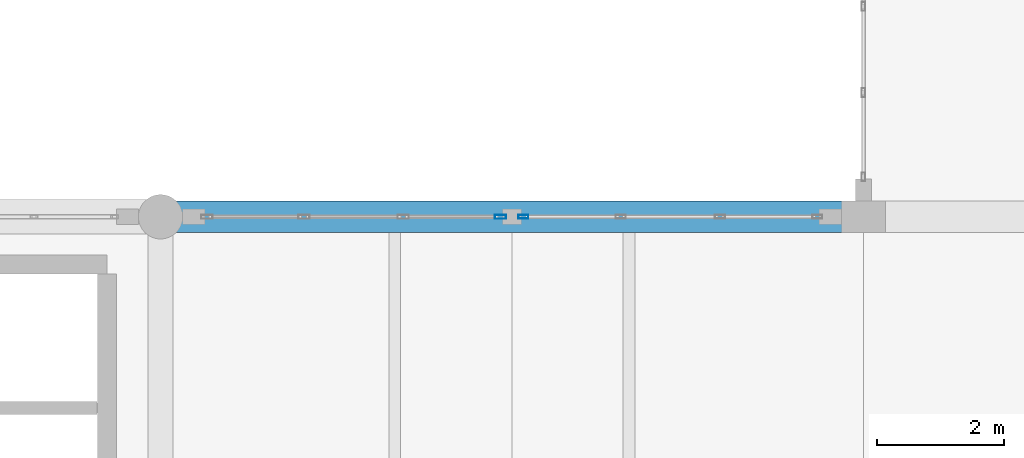
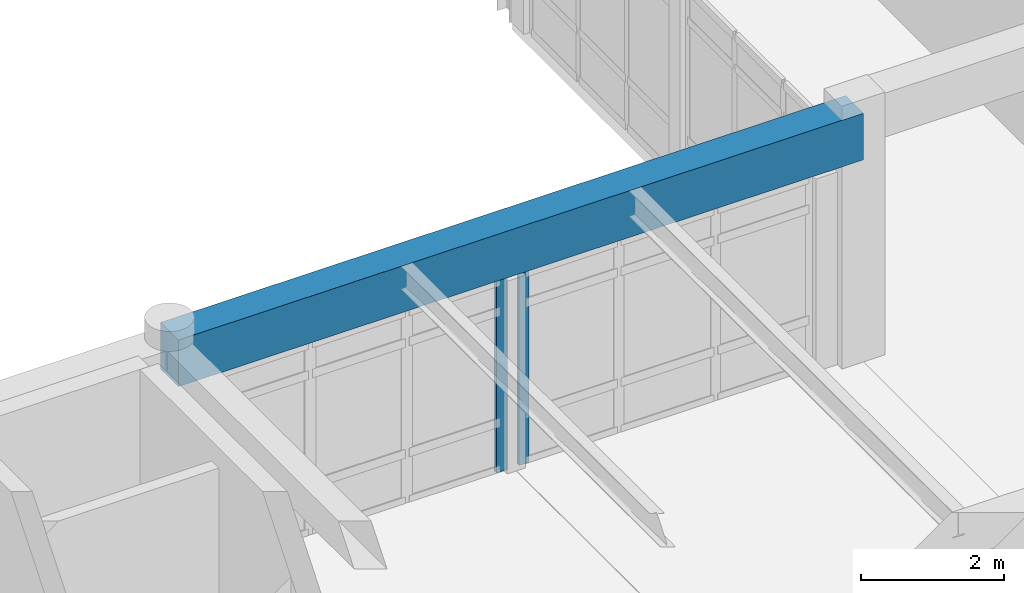
# One storey, part 29 of 80: 2 members, 1 beam, 2 elements without a shape of their own.
"""IFC4 building model written with IfcOpenShell, lengths in metres."""

from ifc_helpers import new_model, si_unit, direction, frame, origin, origin_2d, place, context, subcontext, project, spatial, rectangle, hollow_rectangle, extrude, material, layer, layer_set, material_profile, profile_set, type_object, element, aggregate, save


model = new_model("IFC4")

# Units and contexts
model_context = context("Model", 3, precision=1e-05, world=origin(), true_north=direction((0.0, 1.0)))
body_context = subcontext(model_context, "Body", "Model", "MODEL_VIEW")
ifc_project = project(units=[si_unit("LENGTHUNIT", "METRE"), si_unit("AREAUNIT", "SQUARE_METRE"), si_unit("VOLUMEUNIT", "CUBIC_METRE"), si_unit("PLANEANGLEUNIT", "RADIAN"), si_unit("MASSUNIT", "GRAM", prefix="KILO")], contexts=[model_context])

# Site, building, storey
site_placement = place(None, origin())
site = spatial("IfcSite", under=ifc_project, at=site_placement, CompositionType="ELEMENT")
building_placement = place(site_placement, origin())
building = spatial("IfcBuilding", under=site, at=building_placement, Name="Fikremerkos Civic Library", CompositionType="ELEMENT")
storey_placement = place(building_placement, frame((0.0, 0.0, 9.89990234375)))
storey = spatial("IfcBuildingStorey", under=building, at=storey_placement, Name="L02", CompositionType="ELEMENT", Elevation=9.89990234375)

# Curtain wall, member
ifc_material_1 = material(Name="Anodized aluminium Frame", Category="aluminium")
ifc_layer_1 = layer(ifc_material_1, 0.159912109375, Name="Anodized aluminium Frame")
ifc_layer_set_1 = layer_set([ifc_layer_1], Name="Anodized aluminium Frame")
curtain_wall_type_1 = type_object("IfcCurtainWallType", Name="Unitised curtain wall CW-09 3600x3400", PredefinedType="USERDEFINED", material=ifc_layer_set_1)
curtain_wall_1_placement = place(storey_placement, origin())
curtain_wall_1 = element("IfcCurtainWall", 1, at=curtain_wall_1_placement, inside=storey, type_object=curtain_wall_type_1, Name="Unitised curtain wall CW-09 L02 #171", ObjectType="UNITISED CURTAIN WALL", PredefinedType="USERDEFINED")
ifc_material_profile_1 = material_profile(ifc_material_1, hollow_rectangle(XDim=0.06494140625, YDim=0.179931640625, WallThickness=0.00439453125, at=origin_2d()), Name="ALU 180x65x4.5")
ifc_profile_set_1 = profile_set([ifc_material_profile_1], Name="Anodized aluminium Frame")
member_type_1 = type_object("IfcMemberType", Name="Curtain mullion CWM-01 ALU 180x65x4.5", PredefinedType="MULLION", material=ifc_profile_set_1)
member_1_placement = place(storey_placement, frame((119.0673828125, 31.199951171875, 0.0), z_axis=(0.0, 0.0, 1.0), x_axis=(0.0, 1.0, 0.0)))
member_1 = element("IfcMember", 2, at=member_1_placement, type_object=member_type_1, Name="CW-09 mullion 4", PredefinedType="MULLION", context=body_context, shape_type="SweptSolid", body=[
    extrude(hollow_rectangle(XDim=0.06494140625, YDim=0.179931640625, WallThickness=0.00439453125, at=origin_2d()), origin(), (0.0, 0.0, 1.0), 3.300048828125),
])
aggregate(curtain_wall_1, [member_1])

ifc_layer_2 = layer(ifc_material_1, 0.159912109375, Name="Anodized aluminium Frame")
ifc_layer_set_2 = layer_set([ifc_layer_2], Name="Anodized aluminium Frame")
curtain_wall_type_2 = type_object("IfcCurtainWallType", Name="Unitised curtain wall CW-10 4000x3400", PredefinedType="USERDEFINED", material=ifc_layer_set_2)
curtain_wall_2_placement = place(storey_placement, origin())
curtain_wall_2 = element("IfcCurtainWall", 3, at=curtain_wall_2_placement, inside=storey, type_object=curtain_wall_type_2, Name="Unitised curtain wall CW-10 L02 #172", ObjectType="UNITISED CURTAIN WALL", PredefinedType="USERDEFINED")
ifc_material_profile_2 = material_profile(ifc_material_1, hollow_rectangle(XDim=0.06005859375, YDim=0.159912109375, WallThickness=0.00390625, at=origin_2d()), Name="ALU 160x60x4")
ifc_profile_set_2 = profile_set([ifc_material_profile_2], Name="Anodized aluminium Frame")
member_type_2 = type_object("IfcMemberType", Name="Curtain mullion CWM-02 ALU 160x60x4", PredefinedType="MULLION", material=ifc_profile_set_2)
member_2_placement = place(storey_placement, frame((119.429931640625, 31.199951171875, 0.0), z_axis=(0.0, 0.0, 1.0), x_axis=(0.0, 1.0, 0.0)))
member_2 = element("IfcMember", 4, at=member_2_placement, type_object=member_type_2, Name="CW-10 mullion 1", PredefinedType="MULLION", context=body_context, shape_type="SweptSolid", body=[
    extrude(hollow_rectangle(XDim=0.06005859375, YDim=0.159912109375, WallThickness=0.00390625, at=origin_2d()), origin(), (0.0, 0.0, 1.0), 3.300048828125),
])
aggregate(curtain_wall_2, [member_2])

# Beam
ifc_material_2 = material(Name="Concrete C40/50", Category="concrete")
ifc_material_profile_3 = material_profile(ifc_material_2, rectangle(XDim=0.5, YDim=0.800048828125, at=origin_2d()), Name="RC 500x800")
ifc_profile_set_3 = profile_set([ifc_material_profile_3], Name="Concrete C40/50")
beam_type = type_object("IfcBeamType", Name="Primary girder BM-04 RC 500x800", PredefinedType="BEAM", material=ifc_profile_set_3)
beam_placement = place(storey_placement, frame((113.699951171875, 31.199951171875, 3.860107421875), z_axis=(1.0, 0.0, 0.0), x_axis=(0.0, 1.0, 0.0)))
element("IfcBeam", 5, at=beam_placement, inside=storey, type_object=beam_type, Name="Primary girder BM-04 L02 grid G", PredefinedType="BEAM", context=body_context, shape_type="SweptSolid", body=[
    extrude(rectangle(XDim=0.5, YDim=0.800048828125, at=origin_2d()), origin(), (0.0, 0.0, 1.0), 11.10009765625),
])

save(model, "model.ifc")
